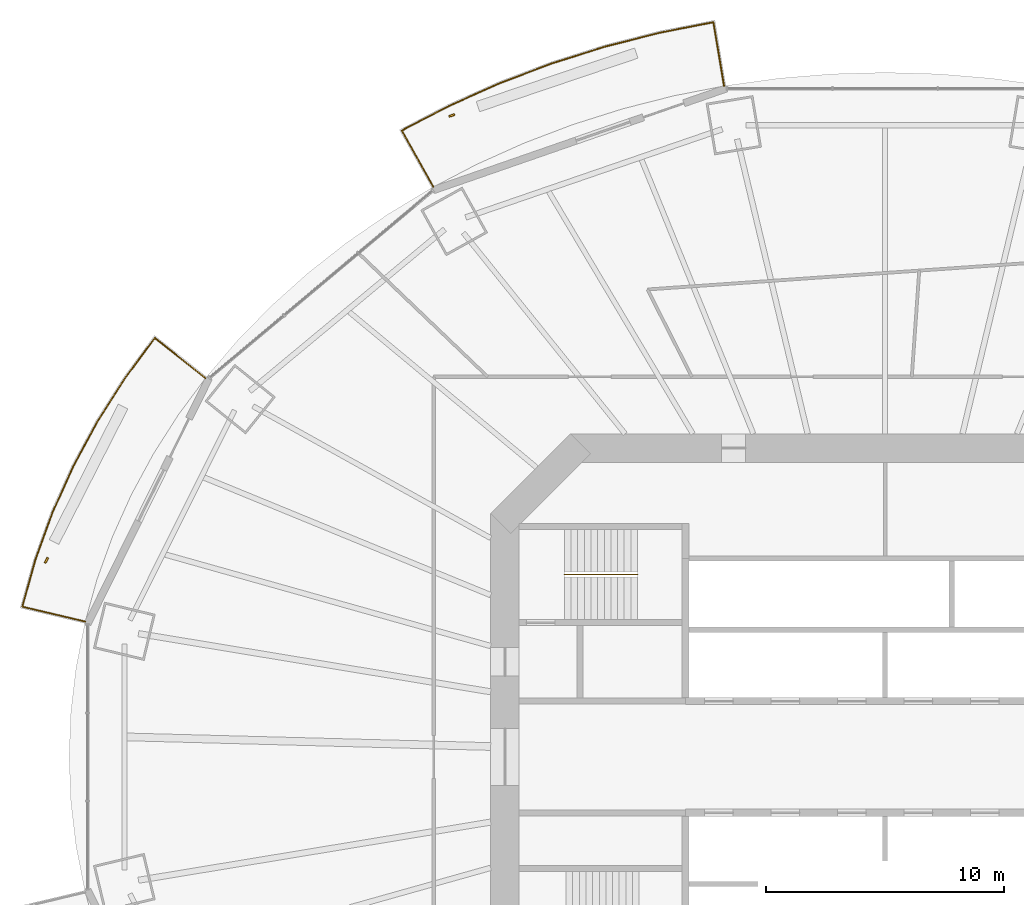
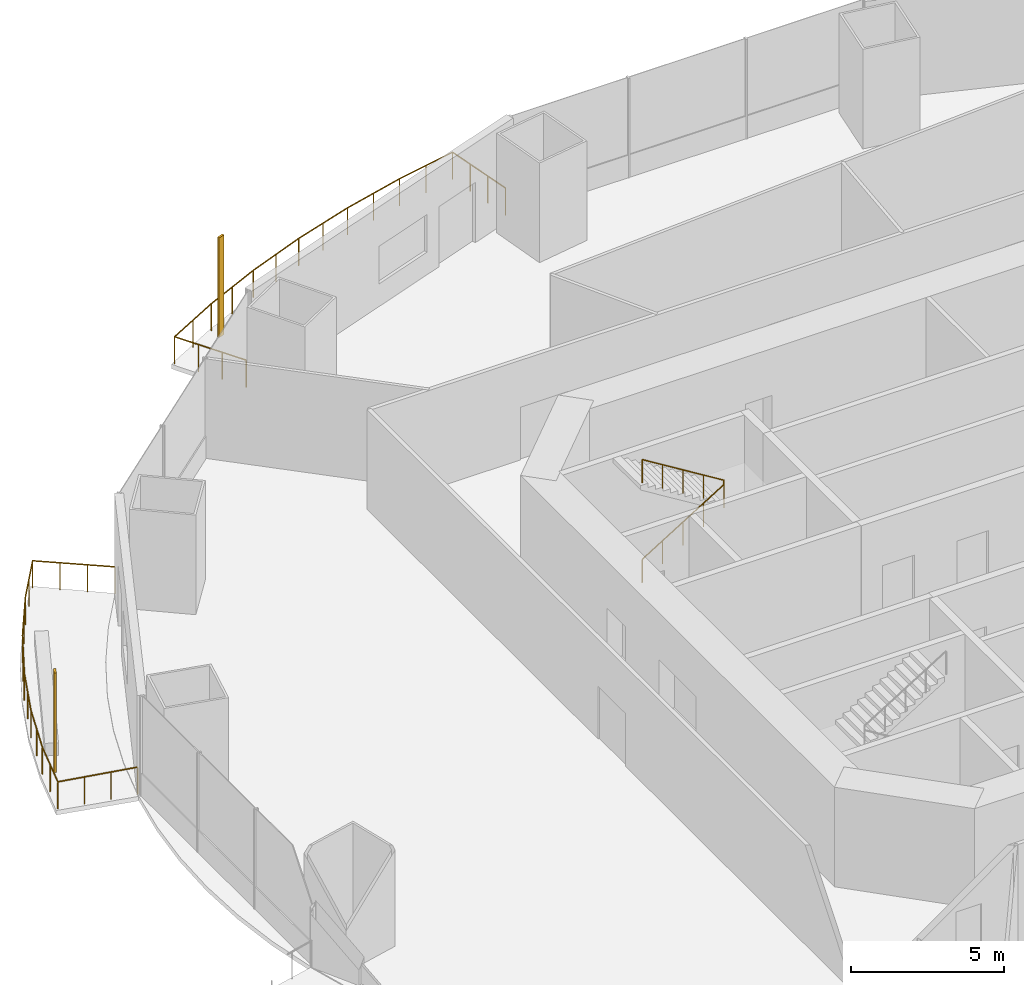
# One storey, part 19 of 22: 3 railings, 2 shading devices.
"""IFC4 building model written with IfcOpenShell, lengths in metres."""

from ifc_helpers import new_model, si_unit, direction, frame, origin, origin_2d, place, context, subcontext, project, spatial, rectangle, circle, extrude, material, material_profile, profile_set, type_object, element, save


model = new_model("IFC4")

# Units and contexts
model_context = context("Model", 3, precision=1e-05, world=origin(), true_north=direction((0.0, 1.0)))
body_context = subcontext(model_context, "Body", "Model", "MODEL_VIEW")
ifc_project = project(units=[si_unit("LENGTHUNIT", "METRE"), si_unit("AREAUNIT", "SQUARE_METRE"), si_unit("VOLUMEUNIT", "CUBIC_METRE"), si_unit("PLANEANGLEUNIT", "RADIAN"), si_unit("MASSUNIT", "GRAM", prefix="KILO")], contexts=[model_context])

# Site, building, storey
site_placement = place(None, origin())
site = spatial("IfcSite", under=ifc_project, at=site_placement, CompositionType="ELEMENT")
building_placement = place(site_placement, origin())
building = spatial("IfcBuilding", under=site, at=building_placement, Name="Marenthal Gate Tower", CompositionType="ELEMENT")
storey_placement = place(building_placement, frame((0.0, 0.0, 107.699951171875)))
storey = spatial("IfcBuildingStorey", under=building, at=storey_placement, Name="L22", CompositionType="ELEMENT", Elevation=107.699951171875)

# Railings
ifc_material_1 = material(Name="Stainless steel", Category="steel")
railing_type_1 = type_object("IfcRailingType", Name="Balcony guard 1100", PredefinedType="GUARDRAIL", material=ifc_material_1)
railing_1_placement = place(storey_placement, frame((-19.01171875, 23.9921875, 0.0)))
element("IfcRailing", 1, at=railing_1_placement, inside=storey, type_object=railing_type_1, Name="Balcony guard L22 bay 5", PredefinedType="GUARDRAIL", context=body_context, shape_type="SweptSolid", body=[
    extrude(circle(Radius=0.02392578125, at=origin_2d()), frame((0.0, 0.0, 1.076171875), z_axis=(-0.489197979897, 0.87204857286, -0.014718119373), x_axis=(-0.872143041114, -0.489250974283, 0.0)), (0.0, 0.0, 1.0), 2.720458984375),
    extrude(circle(Radius=0.02392578125, at=origin_2d()), frame((-1.330810546875, 2.372314453125, 1.0361328125), z_axis=(0.887125590865, 0.461528098855, 0.0), x_axis=(-0.461528098855, 0.887125590865, 0.0)), (0.0, 0.0, 1.0), 2.235595703125),
    extrude(circle(Radius=0.02392578125, at=origin_2d()), frame((0.65234375, 3.404052734375, 1.0361328125), z_axis=(0.912494502903, 0.409088966083, 0.0), x_axis=(-0.409088966083, 0.912494502903, 0.0)), (0.0, 0.0, 1.0), 2.332275390625),
    extrude(circle(Radius=0.02392578125, at=origin_2d()), frame((2.780517578125, 4.358154296875, 1.0361328125), z_axis=(0.934764240257, 0.35526865206, 0.0), x_axis=(-0.35526865206, 0.934764240257, 0.0)), (0.0, 0.0, 1.0), 2.347412109375),
    extrude(circle(Radius=0.02392578125, at=origin_2d()), frame((4.974853515625, 5.192138671875, 1.0361328125), z_axis=(0.953609232067, 0.30104722639, 0.0), x_axis=(-0.30104722639, 0.953609232067, 0.0)), (0.0, 0.0, 1.0), 2.36083984375),
    extrude(circle(Radius=0.02392578125, at=origin_2d()), frame((7.22607421875, 5.90283203125, 1.0361328125), z_axis=(0.969104776695, 0.246649410675, 0.0), x_axis=(-0.246649410675, 0.969104776695, 0.0)), (0.0, 0.0, 1.0), 2.37255859375),
    extrude(circle(Radius=0.02392578125, at=origin_2d()), frame((9.525390625, 6.488037109375, 1.0361328125), z_axis=(0.981215853429, 0.192913060677, 0.0), x_axis=(-0.192913060677, 0.981215853429, 0.0)), (0.0, 0.0, 1.0), 2.302001953125),
    extrude(circle(Radius=0.02392578125, at=origin_2d()), frame((11.7841796875, 6.93212890625, 1.0361328125), z_axis=(0.164686797849, -0.986236088047, 0.014718602097), x_axis=(0.986342933143, 0.164704639396, 0.0)), (0.0, 0.0, 1.0), 2.72021484375),
    extrude(circle(Radius=0.02099609375, at=origin_2d()), origin(), (0.0, 0.0, 1.0), 1.052001953125),
    extrude(circle(Radius=0.02099609375, at=origin_2d()), frame((-0.443603515625, 0.790771484375, -0.013427734375)), (0.0, 0.0, 1.0), 1.052001953125),
    extrude(circle(Radius=0.02099609375, at=origin_2d()), frame((-0.88720703125, 1.58154296875, -0.026611328125)), (0.0, 0.0, 1.0), 1.052001953125),
    extrude(circle(Radius=0.02099609375, at=origin_2d()), frame((-1.330810546875, 2.372314453125, -0.0400390625)), (0.0, 0.0, 1.0), 1.052001953125),
    extrude(circle(Radius=0.02099609375, at=origin_2d()), frame((-0.33935546875, 2.88818359375, -0.0400390625)), (0.0, 0.0, 1.0), 1.052001953125),
    extrude(circle(Radius=0.02099609375, at=origin_2d()), frame((0.65234375, 3.404052734375, -0.0400390625)), (0.0, 0.0, 1.0), 1.052001953125),
    extrude(circle(Radius=0.02099609375, at=origin_2d()), frame((1.71630859375, 3.881103515625, -0.0400390625)), (0.0, 0.0, 1.0), 1.052001953125),
    extrude(circle(Radius=0.02099609375, at=origin_2d()), frame((2.780517578125, 4.358154296875, -0.0400390625)), (0.0, 0.0, 1.0), 1.052001953125),
    extrude(circle(Radius=0.02099609375, at=origin_2d()), frame((3.877685546875, 4.775146484375, -0.0400390625)), (0.0, 0.0, 1.0), 1.052001953125),
    extrude(circle(Radius=0.02099609375, at=origin_2d()), frame((4.974853515625, 5.192138671875, -0.0400390625)), (0.0, 0.0, 1.0), 1.052001953125),
    extrude(circle(Radius=0.02099609375, at=origin_2d()), frame((6.1005859375, 5.54736328125, -0.0400390625)), (0.0, 0.0, 1.0), 1.052001953125),
    extrude(circle(Radius=0.02099609375, at=origin_2d()), frame((7.22607421875, 5.90283203125, -0.0400390625)), (0.0, 0.0, 1.0), 1.052001953125),
    extrude(circle(Radius=0.02099609375, at=origin_2d()), frame((8.375732421875, 6.1953125, -0.0400390625)), (0.0, 0.0, 1.0), 1.052001953125),
    extrude(circle(Radius=0.02099609375, at=origin_2d()), frame((9.525390625, 6.488037109375, -0.0400390625)), (0.0, 0.0, 1.0), 1.052001953125),
    extrude(circle(Radius=0.02099609375, at=origin_2d()), frame((10.65478515625, 6.7099609375, -0.0400390625)), (0.0, 0.0, 1.0), 1.052001953125),
    extrude(circle(Radius=0.02099609375, at=origin_2d()), frame((11.7841796875, 6.93212890625, -0.0400390625)), (0.0, 0.0, 1.0), 1.052001953125),
    extrude(circle(Radius=0.02099609375, at=origin_2d()), frame((11.93359375, 6.037841796875, -0.026611328125)), (0.0, 0.0, 1.0), 1.052001953125),
    extrude(circle(Radius=0.02099609375, at=origin_2d()), frame((12.082763671875, 5.1435546875, -0.013427734375)), (0.0, 0.0, 1.0), 1.052001953125),
    extrude(circle(Radius=0.02099609375, at=origin_2d()), frame((12.232177734375, 4.249267578125, 0.0)), (0.0, 0.0, 1.0), 1.052001953125),
])
railing_2_placement = place(storey_placement, frame((-33.667724609375, 5.697998046875, 0.0)))
element("IfcRailing", 2, at=railing_2_placement, inside=storey, type_object=railing_type_1, Name="Balcony guard L22 bay 7", PredefinedType="GUARDRAIL", context=body_context, shape_type="SweptSolid", body=[
    extrude(circle(Radius=0.02392578125, at=origin_2d()), frame((0.0, 0.0, 1.076171875), z_axis=(-0.972946801612, 0.230559942195, -0.014718501565), x_axis=(-0.230584919848, -0.973052205557, 0.0)), (0.0, 0.0, 1.0), 2.72021484375),
    extrude(circle(Radius=0.02392578125, at=origin_2d()), frame((-2.646728515625, 0.627197265625, 1.0361328125), z_axis=(0.269340401915, 0.963045039391, 0.0), x_axis=(-0.963045039391, 0.269340401915, 0.0)), (0.0, 0.0, 1.0), 2.033203125),
    extrude(circle(Radius=0.02392578125, at=origin_2d()), frame((-2.09912109375, 2.585205078125, 1.0361328125), z_axis=(0.340071165829, 0.940399703409, 0.0), x_axis=(-0.940399703409, 0.340071165829, 0.0)), (0.0, 0.0, 1.0), 2.122802734375),
    extrude(circle(Radius=0.02392578125, at=origin_2d()), frame((-1.377197265625, 4.58154296875, 1.0361328125), z_axis=(0.40931851754, 0.912391555857, 0.0), x_axis=(-0.912391555857, 0.40931851754, 0.0)), (0.0, 0.0, 1.0), 2.13525390625),
    extrude(circle(Radius=0.02392578125, at=origin_2d()), frame((-0.503173828125, 6.52978515625, 1.0361328125), z_axis=(0.475203433283, 0.87987595546, 0.0), x_axis=(-0.87987595546, 0.475203433283, 0.0)), (0.0, 0.0, 1.0), 2.149658203125),
    extrude(circle(Radius=0.02392578125, at=origin_2d()), frame((0.518310546875, 8.421142578125, 1.0361328125), z_axis=(0.537437089424, 0.843303844953, 0.0), x_axis=(-0.843303844953, 0.537437089424, 0.0)), (0.0, 0.0, 1.0), 2.16552734375),
    extrude(circle(Radius=0.02392578125, at=origin_2d()), frame((1.68212890625, 10.247314453125, 1.0361328125), z_axis=(0.594374737218, 0.804188206676, 0.0), x_axis=(-0.804188206676, 0.594374737218, 0.0)), (0.0, 0.0, 1.0), 2.1025390625),
    extrude(circle(Radius=0.02392578125, at=origin_2d()), frame((2.931884765625, 11.938232421875, 1.0361328125), z_axis=(0.78234035398, -0.622677225641, 0.014718804411), x_axis=(0.622744685996, 0.782425112112, 0.0)), (0.0, 0.0, 1.0), 2.72021484375),
    extrude(circle(Radius=0.02099609375, at=origin_2d()), origin(), (0.0, 0.0, 1.0), 1.052001953125),
    extrude(circle(Radius=0.02099609375, at=origin_2d()), frame((-0.88232421875, 0.208984375, -0.013427734375)), (0.0, 0.0, 1.0), 1.052001953125),
    extrude(circle(Radius=0.02099609375, at=origin_2d()), frame((-1.764404296875, 0.418212890625, -0.026611328125)), (0.0, 0.0, 1.0), 1.052001953125),
    extrude(circle(Radius=0.02099609375, at=origin_2d()), frame((-2.646728515625, 0.627197265625, -0.0400390625)), (0.0, 0.0, 1.0), 1.052001953125),
    extrude(circle(Radius=0.02099609375, at=origin_2d()), frame((-2.373046875, 1.606201171875, -0.0400390625)), (0.0, 0.0, 1.0), 1.052001953125),
    extrude(circle(Radius=0.02099609375, at=origin_2d()), frame((-2.09912109375, 2.585205078125, -0.0400390625)), (0.0, 0.0, 1.0), 1.052001953125),
    extrude(circle(Radius=0.02099609375, at=origin_2d()), frame((-1.73828125, 3.58349609375, -0.0400390625)), (0.0, 0.0, 1.0), 1.052001953125),
    extrude(circle(Radius=0.02099609375, at=origin_2d()), frame((-1.377197265625, 4.58154296875, -0.0400390625)), (0.0, 0.0, 1.0), 1.052001953125),
    extrude(circle(Radius=0.02099609375, at=origin_2d()), frame((-0.940185546875, 5.5556640625, -0.0400390625)), (0.0, 0.0, 1.0), 1.052001953125),
    extrude(circle(Radius=0.02099609375, at=origin_2d()), frame((-0.503173828125, 6.52978515625, -0.0400390625)), (0.0, 0.0, 1.0), 1.052001953125),
    extrude(circle(Radius=0.02099609375, at=origin_2d()), frame((0.007568359375, 7.4755859375, -0.0400390625)), (0.0, 0.0, 1.0), 1.052001953125),
    extrude(circle(Radius=0.02099609375, at=origin_2d()), frame((0.518310546875, 8.421142578125, -0.0400390625)), (0.0, 0.0, 1.0), 1.052001953125),
    extrude(circle(Radius=0.02099609375, at=origin_2d()), frame((1.10009765625, 9.334228515625, -0.0400390625)), (0.0, 0.0, 1.0), 1.052001953125),
    extrude(circle(Radius=0.02099609375, at=origin_2d()), frame((1.68212890625, 10.247314453125, -0.0400390625)), (0.0, 0.0, 1.0), 1.052001953125),
    extrude(circle(Radius=0.02099609375, at=origin_2d()), frame((2.30712890625, 11.0927734375, -0.0400390625)), (0.0, 0.0, 1.0), 1.052001953125),
    extrude(circle(Radius=0.02099609375, at=origin_2d()), frame((2.931884765625, 11.938232421875, -0.0400390625)), (0.0, 0.0, 1.0), 1.052001953125),
    extrude(circle(Radius=0.02099609375, at=origin_2d()), frame((3.641357421875, 11.37353515625, -0.026611328125)), (0.0, 0.0, 1.0), 1.052001953125),
    extrude(circle(Radius=0.02099609375, at=origin_2d()), frame((4.3505859375, 10.80908203125, -0.013427734375)), (0.0, 0.0, 1.0), 1.052001953125),
    extrude(circle(Radius=0.02099609375, at=origin_2d()), frame((5.06005859375, 10.244384765625, 0.0)), (0.0, 0.0, 1.0), 1.052001953125),
])
ifc_material_2 = material(Name="Stainless steel", Category="steel")
railing_type_2 = type_object("IfcRailingType", Name="Stair handrail", PredefinedType="HANDRAIL", material=ifc_material_2)
railing_3_placement = place(storey_placement, frame((-13.5, 7.675048828125, 0.1728515625)))
element("IfcRailing", 3, at=railing_3_placement, inside=storey, type_object=railing_type_2, Name="Handrail ST1", PredefinedType="HANDRAIL", context=body_context, shape_type="SweptSolid", body=[
    extrude(circle(Radius=0.0224609375, at=origin_2d()), frame((0.0, 0.0, 0.927490234375), z_axis=(0.850835241893, 0.0, 0.525432575268), x_axis=(0.0, 1.0, 0.0)), (0.0, 0.0, 1.0), 3.6201171875),
    extrude(circle(Radius=0.0224609375, at=origin_2d()), frame((3.080078125, 0.0, 2.82958984375), z_axis=(0.0, 0.0, 1.0), x_axis=(1.0, 0.0, 0.0)), (0.0, 0.0, 1.0), 0.173095703125),
    extrude(circle(Radius=0.0224609375, at=origin_2d()), frame((3.080078125, 0.0, 3.002685546875), z_axis=(-0.850835241893, 0.0, 0.525432575268), x_axis=(0.0, -1.0, 0.0)), (0.0, 0.0, 1.0), 3.6201171875),
    extrude(circle(Radius=0.02001953125, at=origin_2d()), origin(), (0.0, 0.0, 1.0), 0.905029296875),
    extrude(circle(Radius=0.02001953125, at=origin_2d()), frame((0.77001953125, 0.0, 0.4755859375)), (0.0, 0.0, 1.0), 0.905029296875),
    extrude(circle(Radius=0.02001953125, at=origin_2d()), frame((1.5400390625, 0.0, 0.951171875)), (0.0, 0.0, 1.0), 0.905029296875),
    extrude(circle(Radius=0.02001953125, at=origin_2d()), frame((2.31005859375, 0.0, 1.426513671875)), (0.0, 0.0, 1.0), 0.905029296875),
    extrude(circle(Radius=0.02001953125, at=origin_2d()), frame((3.080078125, 0.0, 1.902099609375)), (0.0, 0.0, 1.0), 0.905029296875),
    extrude(circle(Radius=0.02001953125, at=origin_2d()), frame((3.080078125, 0.0, 2.0751953125)), (0.0, 0.0, 1.0), 0.905029296875),
    extrude(circle(Radius=0.02001953125, at=origin_2d()), frame((2.31005859375, 0.0, 2.55078125)), (0.0, 0.0, 1.0), 0.905029296875),
    extrude(circle(Radius=0.02001953125, at=origin_2d()), frame((1.5400390625, 0.0, 3.0263671875)), (0.0, 0.0, 1.0), 0.905029296875),
    extrude(circle(Radius=0.02001953125, at=origin_2d()), frame((0.77001953125, 0.0, 3.501708984375)), (0.0, 0.0, 1.0), 0.905029296875),
    extrude(circle(Radius=0.02001953125, at=origin_2d()), frame((0.0, 0.0, 3.977294921875)), (0.0, 0.0, 1.0), 0.905029296875),
])

# Shading devices
ifc_material_3 = material(Name="Terracotta", Category="masonry")
ifc_material_profile = material_profile(ifc_material_3, rectangle(XDim=0.25, YDim=0.080078125, at=origin_2d()), Name="Terracotta baguette 250x80")
ifc_profile_set = profile_set([ifc_material_profile], Name="Terracotta")
shading_device_type = type_object("IfcShadingDeviceType", Name="Terracotta BAGUETTE SCREEN 250x80", PredefinedType="USERDEFINED", material=ifc_profile_set)
for number, where, z_axis, x_axis, name in (
    (4, (-18.238037109375, 26.999267578125, -0.0400390625), (0.0, 0.0, 1.0), (-0.94459732274, -0.328231469959, 0.0), "Terracotta BAGUETTE L22 bay 5R"),
    (5, (-35.300048828125, 8.2734375, -0.0400390625), (0.0, 0.0, 1.0), (-0.442731257123, -0.896654355907, 0.0), "Terracotta BAGUETTE L22 bay 7R"),
):
    element("IfcShadingDevice", number, at=place(storey_placement, frame(where, z_axis=z_axis, x_axis=x_axis)), inside=storey, type_object=shading_device_type, Name=name, ObjectType="BAGUETTE SCREEN", PredefinedType="USERDEFINED", context=body_context, shape_type="SweptSolid", body=[
        extrude(rectangle(XDim=0.25, YDim=0.080078125, at=origin_2d()), origin(), (0.0, 0.0, 1.0), 3.969970703125),
    ])

save(model, "model.ifc")
